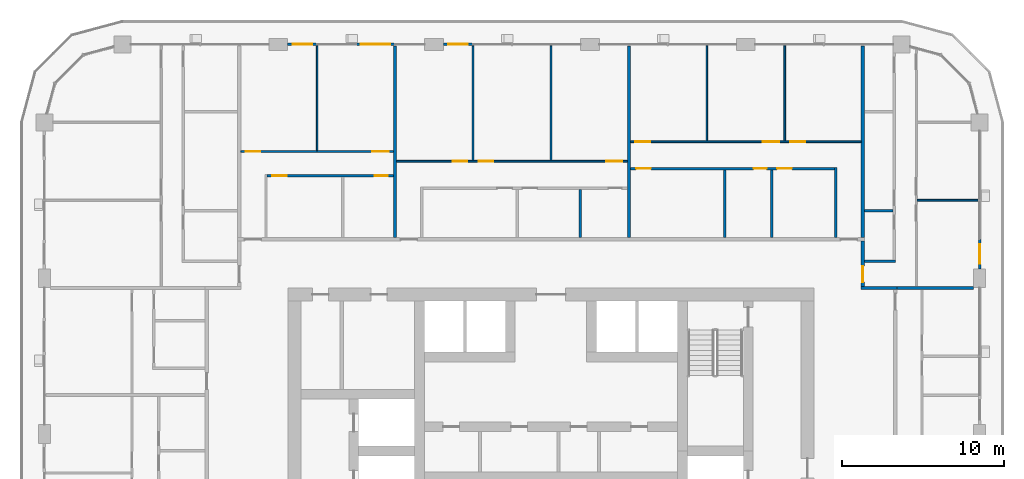
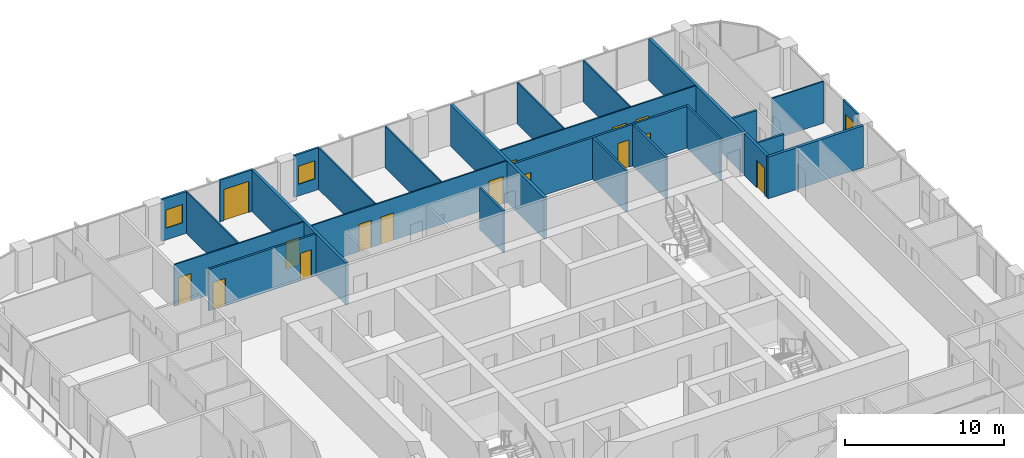
# One storey, part 14 of 22: 27 walls, 15 doors, 3 windows, 18 openings.
"""IFC4 building model written with IfcOpenShell, lengths in metres."""

from ifc_helpers import new_model, si_unit, direction, frame, frame_2d, origin, place, context, subcontext, project, spatial, rectangle, extrude, material, layer, layer_set, type_object, element, fill, save


model = new_model("IFC4")

# Units and contexts
model_context = context("Model", 3, precision=1e-05, world=origin(), true_north=direction((0.0, 1.0)))
body_context = subcontext(model_context, "Body", "Model", "MODEL_VIEW")
ifc_project = project(units=[si_unit("LENGTHUNIT", "METRE"), si_unit("AREAUNIT", "SQUARE_METRE"), si_unit("VOLUMEUNIT", "CUBIC_METRE"), si_unit("PLANEANGLEUNIT", "RADIAN"), si_unit("MASSUNIT", "GRAM", prefix="KILO")], contexts=[model_context])

# Site, building, storey
site_placement = place(None, origin())
site = spatial("IfcSite", under=ifc_project, at=site_placement, CompositionType="ELEMENT")
building_placement = place(site_placement, origin())
building = spatial("IfcBuilding", under=site, at=building_placement, Name="Madar Terraces", CompositionType="ELEMENT")
storey_placement = place(building_placement, frame((0.0, 0.0, 136.60009765625)))
storey = spatial("IfcBuildingStorey", under=building, at=storey_placement, Name="L35", CompositionType="ELEMENT", Elevation=136.60009765625)

# Wall, opening, window
ifc_material_1 = material(Name="Aluminium composite panel, black, over insulated backing", Category="aluminium")
ifc_layer_1 = layer(ifc_material_1, 0.14990234375)
ifc_layer_set_1 = layer_set([ifc_layer_1], Name="Facade bay panel 150")
wall_type_1 = type_object("IfcWallType", Name="Facade bay panel 150", PredefinedType="SOLIDWALL", material=ifc_layer_set_1)
wall_1_placement = place(storey_placement, frame((57.60009765625, 38.97509765625, 0.0), z_axis=(0.0, 0.0, 1.0), x_axis=(0.0, 1.0, 0.0)))
wall_1 = element("IfcWall", 1, at=wall_1_placement, inside=storey, type_object=wall_type_1, Name="Facade bay panel", PredefinedType="SOLIDWALL", context=body_context, shape_type="SweptSolid", body=[
    extrude(rectangle(XDim=1.824951171875, YDim=0.14990234375, at=frame_2d((0.91259765625, 0.0))), origin(), (0.0, 0.0, 1.0), 3.199951171875),
])
opening_1_placement = place(wall_1_placement, frame((0.3125, 0.0, 0.89990234375)))
opening_1 = element("IfcOpeningElement", 2, at=opening_1_placement, cuts=wall_1, Name="Opening W1", PredefinedType="OPENING", context=body_context, shape_type="SweptSolid", body=[
    extrude(rectangle(XDim=1.199951171875, YDim=1.39990234375, at=frame_2d((0.60009765625, 0.699951171875))), frame((0.0, 0.0849609375, 0.0), z_axis=(0.0, -1.0, 0.0), x_axis=(1.0, 0.0, 0.0)), (0.0, 0.0, 1.0), 0.169921875),
])
ifc_material_2 = material(Name="Glass, clear, with black aluminium frame", Category="aluminium")
window_type = type_object("IfcWindowType", Name="Vent window 1200 x 1400", PartitioningType="SINGLE_PANEL", PredefinedType="WINDOW", material=ifc_material_2)
window_1_placement = place(opening_1_placement, origin())
window_1 = element("IfcWindow", 3, at=window_1_placement, inside=storey, type_object=window_type, Name="Operable vent window", OverallHeight=1.39990234375, OverallWidth=1.199951171875, PartitioningType="SINGLE_PANEL", PredefinedType="WINDOW", context=body_context, shape_type="SweptSolid", body=[
    extrude(rectangle(XDim=1.199951171875, YDim=1.39990234375, at=frame_2d((0.60009765625, 0.699951171875))), frame((0.0, 0.030029296875, 0.0), z_axis=(0.0, -1.0, 0.0), x_axis=(1.0, 0.0, 0.0)), (0.0, 0.0, 1.0), 0.06005859375),
])
fill(opening_1, window_1)

wall_2_placement = place(storey_placement, frame((26.39990234375, 52.800048828125, 0.0), z_axis=(0.0, 0.0, 1.0), x_axis=(-1.0, 0.0, 0.0)))
wall_2 = element("IfcWall", 4, at=wall_2_placement, inside=storey, type_object=wall_type_1, Name="Facade bay panel", PredefinedType="SOLIDWALL", context=body_context, shape_type="SweptSolid", body=[
    extrude(rectangle(XDim=1.824951171875, YDim=0.14990234375, at=frame_2d((0.91259765625, 0.0))), origin(), (0.0, 0.0, 1.0), 3.199951171875),
])
opening_2_placement = place(wall_2_placement, frame((0.3125, 0.0, 0.89990234375)))
opening_2 = element("IfcOpeningElement", 5, at=opening_2_placement, cuts=wall_2, Name="Opening W1", PredefinedType="OPENING", context=body_context, shape_type="SweptSolid", body=[
    extrude(rectangle(XDim=1.199951171875, YDim=1.39990234375, at=frame_2d((0.60009765625, 0.699951171875))), frame((0.0, 0.0849609375, 0.0), z_axis=(0.0, -1.0, 0.0), x_axis=(1.0, 0.0, 0.0)), (0.0, 0.0, 1.0), 0.169921875),
])
window_2_placement = place(opening_2_placement, origin())
window_2 = element("IfcWindow", 6, at=window_2_placement, inside=storey, type_object=window_type, Name="Operable vent window", OverallHeight=1.39990234375, OverallWidth=1.199951171875, PartitioningType="SINGLE_PANEL", PredefinedType="WINDOW", context=body_context, shape_type="SweptSolid", body=[
    extrude(rectangle(XDim=1.199951171875, YDim=1.39990234375, at=frame_2d((0.60009765625, 0.699951171875))), frame((0.0, 0.030029296875, 0.0), z_axis=(0.0, -1.0, 0.0), x_axis=(1.0, 0.0, 0.0)), (0.0, 0.0, 1.0), 0.06005859375),
])
fill(opening_2, window_2)

# Wall, opening, door
wall_3_placement = place(storey_placement, frame((21.60009765625, 52.800048828125, 0.0), z_axis=(0.0, 0.0, 1.0), x_axis=(-1.0, 0.0, 0.0)))
wall_3 = element("IfcWall", 7, at=wall_3_placement, inside=storey, type_object=wall_type_1, Name="Facade bay panel", PredefinedType="SOLIDWALL", context=body_context, shape_type="SweptSolid", body=[
    extrude(rectangle(XDim=2.400146484375, YDim=0.14990234375, at=frame_2d((1.2001953125, 0.0))), origin(), (0.0, 0.0, 1.0), 3.199951171875),
])
opening_3_placement = place(wall_3_placement, frame((0.300048828125, 0.0, 0.0)))
opening_3 = element("IfcOpeningElement", 8, at=opening_3_placement, cuts=wall_3, Name="Opening ED1", PredefinedType="OPENING", context=body_context, shape_type="SweptSolid", body=[
    extrude(rectangle(XDim=1.800048828125, YDim=2.39990234375, at=frame_2d((0.89990234375, 1.199951171875))), frame((0.0, 0.0849609375, 0.0), z_axis=(0.0, -1.0, 0.0), x_axis=(1.0, 0.0, 0.0)), (0.0, 0.0, 1.0), 0.169921875),
])
ifc_material_3 = material(Name="Glass, clear, with black aluminium frame", Category="aluminium")
door_type_1 = type_object("IfcDoorType", Name="Balcony and terrace sliding door 1800 x 2400", OperationType="SLIDING_TO_LEFT", PredefinedType="DOOR", material=ifc_material_3)
door_1_placement = place(opening_3_placement, origin())
door_1 = element("IfcDoor", 9, at=door_1_placement, inside=storey, type_object=door_type_1, Name="Balcony door", OperationType="SLIDING_TO_RIGHT", OverallHeight=2.39990234375, OverallWidth=1.800048828125, PredefinedType="DOOR", context=body_context, shape_type="SweptSolid", body=[
    extrude(rectangle(XDim=1.800048828125, YDim=2.39990234375, at=frame_2d((0.89990234375, 1.199951171875))), frame((0.0, 0.02490234375, 0.0), z_axis=(0.0, -1.0, 0.0), x_axis=(1.0, 0.0, 0.0)), (0.0, 0.0, 1.0), 0.050048828125),
])
fill(opening_3, door_1)

# Wall, opening, window
wall_4_placement = place(storey_placement, frame((16.800048828125, 52.800048828125, 0.0), z_axis=(0.0, 0.0, 1.0), x_axis=(-1.0, 0.0, 0.0)))
wall_4 = element("IfcWall", 10, at=wall_4_placement, inside=storey, type_object=wall_type_1, Name="Facade bay panel", PredefinedType="SOLIDWALL", context=body_context, shape_type="SweptSolid", body=[
    extrude(rectangle(XDim=1.824951171875, YDim=0.14990234375, at=frame_2d((0.91259765625, 0.0))), origin(), (0.0, 0.0, 1.0), 3.199951171875),
])
opening_4_placement = place(wall_4_placement, frame((0.3125, 0.0, 0.89990234375)))
opening_4 = element("IfcOpeningElement", 11, at=opening_4_placement, cuts=wall_4, Name="Opening W1", PredefinedType="OPENING", context=body_context, shape_type="SweptSolid", body=[
    extrude(rectangle(XDim=1.199951171875, YDim=1.39990234375, at=frame_2d((0.60009765625, 0.699951171875))), frame((0.0, 0.0849609375, 0.0), z_axis=(0.0, -1.0, 0.0), x_axis=(1.0, 0.0, 0.0)), (0.0, 0.0, 1.0), 0.169921875),
])
window_3_placement = place(opening_4_placement, origin())
window_3 = element("IfcWindow", 12, at=window_3_placement, inside=storey, type_object=window_type, Name="Operable vent window", OverallHeight=1.39990234375, OverallWidth=1.199951171875, PartitioningType="SINGLE_PANEL", PredefinedType="WINDOW", context=body_context, shape_type="SweptSolid", body=[
    extrude(rectangle(XDim=1.199951171875, YDim=1.39990234375, at=frame_2d((0.60009765625, 0.699951171875))), frame((0.0, 0.030029296875, 0.0), z_axis=(0.0, -1.0, 0.0), x_axis=(1.0, 0.0, 0.0)), (0.0, 0.0, 1.0), 0.06005859375),
])
fill(opening_4, window_3)

# Walls
ifc_material_4 = material(Name="Gypsum board on steel studs", Category="steel")
ifc_layer_2 = layer(ifc_material_4, 0.10009765625)
ifc_layer_set_2 = layer_set([ifc_layer_2], Name="Flat partition 100")
wall_type_2 = type_object("IfcWallType", Name="Flat partition 100", PredefinedType="PARTITIONING", material=ifc_layer_set_2)
wall_5_placement = place(storey_placement, frame((53.75, 43.199951171875, 0.0), z_axis=(0.0, 0.0, 1.0), x_axis=(1.0, 0.0, 0.0)))
element("IfcWall", 13, at=wall_5_placement, inside=storey, type_object=wall_type_2, Name="Flat partition 100", PredefinedType="PARTITIONING", context=body_context, shape_type="SweptSolid", body=[
    extrude(rectangle(XDim=3.75, YDim=0.10009765625, at=frame_2d((1.875, 0.0))), origin(), (0.0, 0.0, 1.0), 3.199951171875),
])
for number, where, z_axis, x_axis, name in (
    (14, (45.60009765625, 46.85009765625, 0.0), (0.0, 0.0, 1.0), (0.0, 1.0, 0.0), "Flat partition 100"),
    (15, (40.800048828125, 46.85009765625, 0.0), (0.0, 0.0, 1.0), (0.0, 1.0, 0.0), "Flat partition 100"),
):
    element("IfcWall", number, at=place(storey_placement, frame(where, z_axis=z_axis, x_axis=x_axis)), inside=storey, type_object=wall_type_2, Name=name, PredefinedType="PARTITIONING", context=body_context, shape_type="SweptSolid", body=[
        extrude(rectangle(XDim=5.849853515625, YDim=0.10009765625, at=frame_2d((2.9248046875, 0.0))), origin(), (0.0, 0.0, 1.0), 3.199951171875),
    ])

# Wall, openings, doors
wall_6_placement = place(storey_placement, frame((36.10009765625, 46.800048828125, 0.0), z_axis=(0.0, 0.0, 1.0), x_axis=(1.0, 0.0, 0.0)))
wall_6 = element("IfcWall", 16, at=wall_6_placement, inside=storey, type_object=wall_type_2, Name="Flat partition 100", PredefinedType="PARTITIONING", context=body_context, shape_type="SweptSolid", body=[
    extrude(rectangle(XDim=14.199951171875, YDim=0.10009765625, at=frame_2d((7.10009765625, 0.0))), origin(), (0.0, 0.0, 1.0), 3.199951171875),
])
opening_5_placement = place(wall_6_placement, frame((9.85009765625, 0.0, 0.0)))
opening_5 = element("IfcOpeningElement", 17, at=opening_5_placement, cuts=wall_6, Name="Opening D2", PredefinedType="OPENING", context=body_context, shape_type="SweptSolid", body=[
    extrude(rectangle(XDim=0.89990234375, YDim=2.10009765625, at=frame_2d((0.449951171875, 1.050048828125))), frame((0.0, 0.06005859375, 0.0), z_axis=(0.0, -1.0, 0.0), x_axis=(1.0, 0.0, 0.0)), (0.0, 0.0, 1.0), 0.1201171875),
])
opening_6_placement = place(wall_6_placement, frame((8.14990234375, 0.0, 0.0)))
opening_6 = element("IfcOpeningElement", 18, at=opening_6_placement, cuts=wall_6, Name="Opening D3", PredefinedType="OPENING", context=body_context, shape_type="SweptSolid", body=[
    extrude(rectangle(XDim=1.0, YDim=2.10009765625, at=frame_2d((0.5, 1.050048828125))), frame((0.0, 0.06005859375, 0.0), z_axis=(0.0, -1.0, 0.0), x_axis=(1.0, 0.0, 0.0)), (0.0, 0.0, 1.0), 0.1201171875),
])
opening_7_placement = place(wall_6_placement, frame((0.300048828125, 0.0, 0.0)))
opening_7 = element("IfcOpeningElement", 19, at=opening_7_placement, cuts=wall_6, Name="Opening D2", PredefinedType="OPENING", context=body_context, shape_type="SweptSolid", body=[
    extrude(rectangle(XDim=0.89990234375, YDim=2.10009765625, at=frame_2d((0.449951171875, 1.050048828125))), frame((0.0, 0.06005859375, 0.0), z_axis=(0.0, -1.0, 0.0), x_axis=(1.0, 0.0, 0.0)), (0.0, 0.0, 1.0), 0.1201171875),
])
ifc_material_5 = material(Name="Timber door leaf", Category="wood")
door_type_2 = type_object("IfcDoorType", Name="Flat living room door 1000", OperationType="NOTDEFINED", PredefinedType="DOOR", material=ifc_material_5)
door_2_placement = place(opening_6_placement, origin())
door_2 = element("IfcDoor", 20, at=door_2_placement, inside=storey, type_object=door_type_2, Name="Flat living room door 1000", OperationType="SINGLE_SWING_RIGHT", OverallHeight=2.10009765625, OverallWidth=1.0, PredefinedType="DOOR", context=body_context, shape_type="SweptSolid", body=[
    extrude(rectangle(XDim=1.0, YDim=2.10009765625, at=frame_2d((0.5, 1.050048828125))), frame((0.0, 0.02490234375, 0.0), z_axis=(0.0, -1.0, 0.0), x_axis=(1.0, 0.0, 0.0)), (0.0, 0.0, 1.0), 0.050048828125),
])
fill(opening_6, door_2)
ifc_material_6 = material(Name="Timber door leaf", Category="wood")
door_type_3 = type_object("IfcDoorType", Name="Flat room door 900", OperationType="NOTDEFINED", PredefinedType="DOOR", material=ifc_material_6)
door_3_placement = place(opening_5_placement, origin())
door_3 = element("IfcDoor", 21, at=door_3_placement, inside=storey, type_object=door_type_3, Name="Flat room door 900", OperationType="SINGLE_SWING_LEFT", OverallHeight=2.10009765625, OverallWidth=0.89990234375, PredefinedType="DOOR", context=body_context, shape_type="SweptSolid", body=[
    extrude(rectangle(XDim=0.89990234375, YDim=2.10009765625, at=frame_2d((0.449951171875, 1.050048828125))), frame((0.0, 0.02490234375, 0.0), z_axis=(0.0, -1.0, 0.0), x_axis=(1.0, 0.0, 0.0)), (0.0, 0.0, 1.0), 0.050048828125),
])
fill(opening_5, door_3)
door_4_placement = place(opening_7_placement, origin())
door_4 = element("IfcDoor", 22, at=door_4_placement, inside=storey, type_object=door_type_3, Name="Flat room door 900", OperationType="SINGLE_SWING_LEFT", OverallHeight=2.10009765625, OverallWidth=0.89990234375, PredefinedType="DOOR", context=body_context, shape_type="SweptSolid", body=[
    extrude(rectangle(XDim=0.89990234375, YDim=2.10009765625, at=frame_2d((0.449951171875, 1.050048828125))), frame((0.0, 0.02490234375, 0.0), z_axis=(0.0, -1.0, 0.0), x_axis=(1.0, 0.0, 0.0)), (0.0, 0.0, 1.0), 0.050048828125),
])
fill(opening_7, door_4)

# Walls
for number, where, z_axis, x_axis, name in (
    (23, (26.39990234375, 45.64990234375, 0.0), (0.0, 0.0, 1.0), (0.0, 1.0, 0.0), "Flat partition 100"),
    (24, (31.199951171875, 45.64990234375, 0.0), (0.0, 0.0, 1.0), (0.0, 1.0, 0.0), "Flat partition 100"),
):
    element("IfcWall", number, at=place(storey_placement, frame(where, z_axis=z_axis, x_axis=x_axis)), inside=storey, type_object=wall_type_2, Name=name, PredefinedType="PARTITIONING", context=body_context, shape_type="SweptSolid", body=[
        extrude(rectangle(XDim=7.050048828125, YDim=0.10009765625, at=frame_2d((3.52490234375, 0.0))), origin(), (0.0, 0.0, 1.0), 3.199951171875),
    ])

# Wall, openings, doors
wall_7_placement = place(storey_placement, frame((21.699951171875, 45.60009765625, 0.0), z_axis=(0.0, 0.0, 1.0), x_axis=(1.0, 0.0, 0.0)))
wall_7 = element("IfcWall", 25, at=wall_7_placement, inside=storey, type_object=wall_type_2, Name="Flat partition 100", PredefinedType="PARTITIONING", context=body_context, shape_type="SweptSolid", body=[
    extrude(rectangle(XDim=14.199951171875, YDim=0.10009765625, at=frame_2d((7.10009765625, 0.0))), origin(), (0.0, 0.0, 1.0), 3.199951171875),
])
opening_8_placement = place(wall_7_placement, frame((3.449951171875, 0.0, 0.0)))
opening_8 = element("IfcOpeningElement", 26, at=opening_8_placement, cuts=wall_7, Name="Opening D2", PredefinedType="OPENING", context=body_context, shape_type="SweptSolid", body=[
    extrude(rectangle(XDim=0.89990234375, YDim=2.10009765625, at=frame_2d((0.449951171875, 1.050048828125))), frame((0.0, 0.06005859375, 0.0), z_axis=(0.0, -1.0, 0.0), x_axis=(1.0, 0.0, 0.0)), (0.0, 0.0, 1.0), 0.1201171875),
])
opening_9_placement = place(wall_7_placement, frame((5.050048828125, 0.0, 0.0)))
opening_9 = element("IfcOpeningElement", 27, at=opening_9_placement, cuts=wall_7, Name="Opening D2", PredefinedType="OPENING", context=body_context, shape_type="SweptSolid", body=[
    extrude(rectangle(XDim=0.89990234375, YDim=2.10009765625, at=frame_2d((0.449951171875, 1.050048828125))), frame((0.0, 0.06005859375, 0.0), z_axis=(0.0, -1.0, 0.0), x_axis=(1.0, 0.0, 0.0)), (0.0, 0.0, 1.0), 0.1201171875),
])
opening_10_placement = place(wall_7_placement, frame((12.89990234375, 0.0, 0.0)))
opening_10 = element("IfcOpeningElement", 28, at=opening_10_placement, cuts=wall_7, Name="Opening D3", PredefinedType="OPENING", context=body_context, shape_type="SweptSolid", body=[
    extrude(rectangle(XDim=1.0, YDim=2.10009765625, at=frame_2d((0.5, 1.050048828125))), frame((0.0, 0.06005859375, 0.0), z_axis=(0.0, -1.0, 0.0), x_axis=(1.0, 0.0, 0.0)), (0.0, 0.0, 1.0), 0.1201171875),
])
door_5_placement = place(opening_10_placement, origin())
door_5 = element("IfcDoor", 29, at=door_5_placement, inside=storey, type_object=door_type_2, Name="Flat living room door 1000", OperationType="SINGLE_SWING_RIGHT", OverallHeight=2.10009765625, OverallWidth=1.0, PredefinedType="DOOR", context=body_context, shape_type="SweptSolid", body=[
    extrude(rectangle(XDim=1.0, YDim=2.10009765625, at=frame_2d((0.5, 1.050048828125))), frame((0.0, 0.02490234375, 0.0), z_axis=(0.0, -1.0, 0.0), x_axis=(1.0, 0.0, 0.0)), (0.0, 0.0, 1.0), 0.050048828125),
])
fill(opening_10, door_5)
door_6_placement = place(opening_8_placement, origin())
door_6 = element("IfcDoor", 30, at=door_6_placement, inside=storey, type_object=door_type_3, Name="Flat room door 900", OperationType="SINGLE_SWING_RIGHT", OverallHeight=2.10009765625, OverallWidth=0.89990234375, PredefinedType="DOOR", context=body_context, shape_type="SweptSolid", body=[
    extrude(rectangle(XDim=0.89990234375, YDim=2.10009765625, at=frame_2d((0.449951171875, 1.050048828125))), frame((0.0, 0.02490234375, 0.0), z_axis=(0.0, -1.0, 0.0), x_axis=(1.0, 0.0, 0.0)), (0.0, 0.0, 1.0), 0.050048828125),
])
fill(opening_8, door_6)
door_7_placement = place(opening_9_placement, origin())
door_7 = element("IfcDoor", 31, at=door_7_placement, inside=storey, type_object=door_type_3, Name="Flat room door 900", OperationType="SINGLE_SWING_LEFT", OverallHeight=2.10009765625, OverallWidth=0.89990234375, PredefinedType="DOOR", context=body_context, shape_type="SweptSolid", body=[
    extrude(rectangle(XDim=0.89990234375, YDim=2.10009765625, at=frame_2d((0.449951171875, 1.050048828125))), frame((0.0, 0.02490234375, 0.0), z_axis=(0.0, -1.0, 0.0), x_axis=(1.0, 0.0, 0.0)), (0.0, 0.0, 1.0), 0.050048828125),
])
fill(opening_9, door_7)

# Wall
wall_8_placement = place(storey_placement, frame((16.800048828125, 46.25, 0.0), z_axis=(0.0, 0.0, 1.0), x_axis=(0.0, 1.0, 0.0)))
element("IfcWall", 32, at=wall_8_placement, inside=storey, type_object=wall_type_2, Name="Flat partition 100", PredefinedType="PARTITIONING", context=body_context, shape_type="SweptSolid", body=[
    extrude(rectangle(XDim=6.449951171875, YDim=0.10009765625, at=frame_2d((3.22509765625, 0.0))), origin(), (0.0, 0.0, 1.0), 3.199951171875),
])

# Wall, openings, doors
wall_9_placement = place(storey_placement, frame((12.10009765625, 46.199951171875, 0.0), z_axis=(0.0, 0.0, 1.0), x_axis=(1.0, 0.0, 0.0)))
wall_9 = element("IfcWall", 33, at=wall_9_placement, inside=storey, type_object=wall_type_2, Name="Flat partition 100", PredefinedType="PARTITIONING", context=body_context, shape_type="SweptSolid", body=[
    extrude(rectangle(XDim=9.39990234375, YDim=0.10009765625, at=frame_2d((4.699951171875, 0.0))), origin(), (0.0, 0.0, 1.0), 3.199951171875),
])
opening_11_placement = place(wall_9_placement, frame((0.300048828125, 0.0, 0.0)))
opening_11 = element("IfcOpeningElement", 34, at=opening_11_placement, cuts=wall_9, Name="Opening D2", PredefinedType="OPENING", context=body_context, shape_type="SweptSolid", body=[
    extrude(rectangle(XDim=0.89990234375, YDim=2.10009765625, at=frame_2d((0.449951171875, 1.050048828125))), frame((0.0, 0.06005859375, 0.0), z_axis=(0.0, -1.0, 0.0), x_axis=(1.0, 0.0, 0.0)), (0.0, 0.0, 1.0), 0.1201171875),
])
opening_12_placement = place(wall_9_placement, frame((8.10009765625, 0.0, 0.0)))
opening_12 = element("IfcOpeningElement", 35, at=opening_12_placement, cuts=wall_9, Name="Opening D3", PredefinedType="OPENING", context=body_context, shape_type="SweptSolid", body=[
    extrude(rectangle(XDim=1.0, YDim=2.10009765625, at=frame_2d((0.5, 1.050048828125))), frame((0.0, 0.06005859375, 0.0), z_axis=(0.0, -1.0, 0.0), x_axis=(1.0, 0.0, 0.0)), (0.0, 0.0, 1.0), 0.1201171875),
])
door_8_placement = place(opening_12_placement, origin())
door_8 = element("IfcDoor", 36, at=door_8_placement, inside=storey, type_object=door_type_2, Name="Flat living room door 1000", OperationType="SINGLE_SWING_RIGHT", OverallHeight=2.10009765625, OverallWidth=1.0, PredefinedType="DOOR", context=body_context, shape_type="SweptSolid", body=[
    extrude(rectangle(XDim=1.0, YDim=2.10009765625, at=frame_2d((0.5, 1.050048828125))), frame((0.0, 0.02490234375, 0.0), z_axis=(0.0, -1.0, 0.0), x_axis=(1.0, 0.0, 0.0)), (0.0, 0.0, 1.0), 0.050048828125),
])
fill(opening_12, door_8)
door_9_placement = place(opening_11_placement, origin())
door_9 = element("IfcDoor", 37, at=door_9_placement, inside=storey, type_object=door_type_3, Name="Flat room door 900", OperationType="SINGLE_SWING_LEFT", OverallHeight=2.10009765625, OverallWidth=0.89990234375, PredefinedType="DOOR", context=body_context, shape_type="SweptSolid", body=[
    extrude(rectangle(XDim=0.89990234375, YDim=2.10009765625, at=frame_2d((0.449951171875, 1.050048828125))), frame((0.0, 0.02490234375, 0.0), z_axis=(0.0, -1.0, 0.0), x_axis=(1.0, 0.0, 0.0)), (0.0, 0.0, 1.0), 0.050048828125),
])
fill(opening_11, door_9)

# Wall
ifc_material_7 = material(Name="Lightweight blockwork", Category="masonry")
ifc_layer_3 = layer(ifc_material_7, 0.199951171875)
ifc_layer_set_3 = layer_set([ifc_layer_3], Name="Flat party and entrance wall 200")
wall_type_3 = type_object("IfcWallType", Name="Flat party and entrance wall 200", PredefinedType="PARTITIONING", material=ifc_layer_set_3)
wall_10_placement = place(storey_placement, frame((52.5, 37.800048828125, 0.0), z_axis=(0.0, 0.0, 1.0), x_axis=(-1.0, 0.0, 0.0)))
element("IfcWall", 38, at=wall_10_placement, inside=storey, type_object=wall_type_3, Name="Flat party and entrance wall 200", PredefinedType="PARTITIONING", context=body_context, shape_type="SweptSolid", body=[
    extrude(rectangle(XDim=2.199951171875, YDim=0.199951171875, at=frame_2d((1.10009765625, 0.0))), origin(), (0.0, 0.0, 1.0), 3.199951171875),
])

# Wall, opening, door
wall_11_placement = place(storey_placement, frame((50.39990234375, 40.699951171875, 0.0), z_axis=(0.0, 0.0, 1.0), x_axis=(0.0, -1.0, 0.0)))
wall_11 = element("IfcWall", 39, at=wall_11_placement, inside=storey, type_object=wall_type_3, Name="Flat party and entrance wall 200", PredefinedType="PARTITIONING", context=body_context, shape_type="SweptSolid", body=[
    extrude(rectangle(XDim=2.800048828125, YDim=0.199951171875, at=frame_2d((1.39990234375, 0.0))), origin(), (0.0, 0.0, 1.0), 3.199951171875),
])
opening_13_placement = place(wall_11_placement, frame((1.550048828125, 0.0, 0.0)))
opening_13 = element("IfcOpeningElement", 40, at=opening_13_placement, cuts=wall_11, Name="Opening D1", PredefinedType="OPENING", context=body_context, shape_type="SweptSolid", body=[
    extrude(rectangle(XDim=1.0, YDim=2.10009765625, at=frame_2d((0.5, 1.050048828125))), frame((0.0, 0.10986328125, 0.0), z_axis=(0.0, -1.0, 0.0), x_axis=(1.0, 0.0, 0.0)), (0.0, 0.0, 1.0), 0.219970703125),
])
ifc_material_8 = material(Name="Timber fire door leaf", Category="wood")
door_type_4 = type_object("IfcDoorType", Name="Flat entrance door 1000 FD30S", OperationType="NOTDEFINED", PredefinedType="DOOR", material=ifc_material_8)
door_10_placement = place(opening_13_placement, origin())
door_10 = element("IfcDoor", 41, at=door_10_placement, inside=storey, type_object=door_type_4, Name="Flat entrance door 1000 FD30S", OperationType="SINGLE_SWING_RIGHT", OverallHeight=2.10009765625, OverallWidth=1.0, PredefinedType="DOOR", context=body_context, shape_type="SweptSolid", body=[
    extrude(rectangle(XDim=1.0, YDim=2.10009765625, at=frame_2d((0.5, 1.050048828125))), frame((0.0, 0.02490234375, 0.0), z_axis=(0.0, -1.0, 0.0), x_axis=(1.0, 0.0, 0.0)), (0.0, 0.0, 1.0), 0.050048828125),
])
fill(opening_13, door_10)

# Walls
wall_12_placement = place(storey_placement, frame((52.5, 37.800048828125, 0.0), z_axis=(0.0, 0.0, 1.0), x_axis=(1.0, 0.0, 0.0)))
element("IfcWall", 42, at=wall_12_placement, inside=storey, type_object=wall_type_3, Name="Flat party and entrance wall 200", PredefinedType="PARTITIONING", context=body_context, shape_type="SweptSolid", body=[
    extrude(rectangle(XDim=4.72509765625, YDim=0.199951171875, at=frame_2d((2.362548828125, 0.0))), origin(), (0.0, 0.0, 1.0), 3.199951171875),
])
for number, where, z_axis, x_axis, name in (
    (43, (50.39990234375, 40.89990234375, 0.0), (0.0, 0.0, 1.0), (0.0, 1.0, 0.0), "Flat party and entrance wall 200"),
    (44, (36.0, 52.699951171875, 0.0), (0.0, 0.0, 1.0), (0.0, -1.0, 0.0), "Flat party and entrance wall 200"),
    (45, (21.60009765625, 52.699951171875, 0.0), (0.0, 0.0, 1.0), (0.0, -1.0, 0.0), "Flat party and entrance wall 200"),
):
    element("IfcWall", number, at=place(storey_placement, frame(where, z_axis=z_axis, x_axis=x_axis)), inside=storey, type_object=wall_type_3, Name=name, PredefinedType="PARTITIONING", context=body_context, shape_type="SweptSolid", body=[
        extrude(rectangle(XDim=11.800048828125, YDim=0.199951171875, at=frame_2d((5.89990234375, 0.0))), origin(), (0.0, 0.0, 1.0), 3.199951171875),
    ])
ifc_material_9 = material(Name="Lightweight blockwork", Category="masonry")
ifc_layer_4 = layer(ifc_material_9, 0.14990234375)
ifc_layer_set_4 = layer_set([ifc_layer_4], Name="Flat wet-room partition 150")
wall_type_4 = type_object("IfcWallType", Name="Flat wet-room partition 150", PredefinedType="PARTITIONING", material=ifc_layer_set_4)
wall_13_placement = place(storey_placement, frame((50.5, 42.5654296875, 0.0), z_axis=(0.0, 0.0, 1.0), x_axis=(1.0, 0.0, 0.0)))
element("IfcWall", 46, at=wall_13_placement, inside=storey, type_object=wall_type_4, Name="Flat wet-room partition 150", PredefinedType="PARTITIONING", context=body_context, shape_type="SweptSolid", body=[
    extrude(rectangle(XDim=1.77490234375, YDim=0.14990234375, at=frame_2d((0.887451171875, 0.0))), origin(), (0.0, 0.0, 1.0), 3.199951171875),
])
wall_14_placement = place(storey_placement, frame((50.5, 39.449951171875, 0.0), z_axis=(0.0, 0.0, 1.0), x_axis=(1.0, 0.0, 0.0)))
element("IfcWall", 47, at=wall_14_placement, inside=storey, type_object=wall_type_4, Name="Flat wet-room partition 150", PredefinedType="PARTITIONING", context=body_context, shape_type="SweptSolid", body=[
    extrude(rectangle(XDim=1.925048828125, YDim=0.14990234375, at=frame_2d((0.96240234375, 0.0))), origin(), (0.0, 0.0, 1.0), 3.199951171875),
])
for number, where, z_axis, x_axis, name in (
    (48, (44.805908203125, 40.89990234375, 0.0), (0.0, 0.0, 1.0), (0.0, 1.0, 0.0), "Flat wet-room partition 150"),
    (49, (41.90380859375, 40.89990234375, 0.0), (0.0, 0.0, 1.0), (0.0, 1.0, 0.0), "Flat wet-room partition 150"),
):
    element("IfcWall", number, at=place(storey_placement, frame(where, z_axis=z_axis, x_axis=x_axis)), inside=storey, type_object=wall_type_4, Name=name, PredefinedType="PARTITIONING", context=body_context, shape_type="SweptSolid", body=[
        extrude(rectangle(XDim=4.175048828125, YDim=0.14990234375, at=frame_2d((2.08740234375, 0.0))), origin(), (0.0, 0.0, 1.0), 3.199951171875),
    ])
wall_15_placement = place(storey_placement, frame((48.75, 40.89990234375, 0.0), z_axis=(0.0, 0.0, 1.0), x_axis=(0.0, 1.0, 0.0)))
element("IfcWall", 50, at=wall_15_placement, inside=storey, type_object=wall_type_4, Name="Flat wet-room partition 150", PredefinedType="PARTITIONING", context=body_context, shape_type="SweptSolid", body=[
    extrude(rectangle(XDim=4.3251953125, YDim=0.14990234375, at=frame_2d((2.16259765625, 0.0))), origin(), (0.0, 0.0, 1.0), 3.199951171875),
])

# Wall, openings, doors
wall_16_placement = place(storey_placement, frame((48.675048828125, 45.14990234375, 0.0), z_axis=(0.0, 0.0, 1.0), x_axis=(-1.0, 0.0, 0.0)))
wall_16 = element("IfcWall", 51, at=wall_16_placement, inside=storey, type_object=wall_type_4, Name="Flat wet-room partition 150", PredefinedType="PARTITIONING", context=body_context, shape_type="SweptSolid", body=[
    extrude(rectangle(XDim=12.574951171875, YDim=0.14990234375, at=frame_2d((6.28759765625, 0.0))), origin(), (0.0, 0.0, 1.0), 3.199951171875),
])
opening_14_placement = place(wall_16_placement, frame((2.644287109375, 0.0, 0.0)))
opening_14 = element("IfcOpeningElement", 52, at=opening_14_placement, cuts=wall_16, Name="Opening D5", PredefinedType="OPENING", context=body_context, shape_type="SweptSolid", body=[
    extrude(rectangle(XDim=0.89990234375, YDim=2.10009765625, at=frame_2d((0.449951171875, 1.050048828125))), frame((0.0, 0.0849609375, 0.0), z_axis=(0.0, -1.0, 0.0), x_axis=(1.0, 0.0, 0.0)), (0.0, 0.0, 1.0), 0.169921875),
])
opening_15_placement = place(wall_16_placement, frame((4.194091796875, 0.0, 0.0)))
opening_15 = element("IfcOpeningElement", 53, at=opening_15_placement, cuts=wall_16, Name="Opening D4", PredefinedType="OPENING", context=body_context, shape_type="SweptSolid", body=[
    extrude(rectangle(XDim=0.800048828125, YDim=2.10009765625, at=frame_2d((0.39990234375, 1.050048828125))), frame((0.0, 0.0849609375, 0.0), z_axis=(0.0, -1.0, 0.0), x_axis=(1.0, 0.0, 0.0)), (0.0, 0.0, 1.0), 0.169921875),
])
opening_16_placement = place(wall_16_placement, frame((11.324951171875, 0.0, 0.0)))
opening_16 = element("IfcOpeningElement", 54, at=opening_16_placement, cuts=wall_16, Name="Opening D2", PredefinedType="OPENING", context=body_context, shape_type="SweptSolid", body=[
    extrude(rectangle(XDim=0.89990234375, YDim=2.10009765625, at=frame_2d((0.449951171875, 1.050048828125))), frame((0.0, 0.0849609375, 0.0), z_axis=(0.0, -1.0, 0.0), x_axis=(1.0, 0.0, 0.0)), (0.0, 0.0, 1.0), 0.169921875),
])
ifc_material_10 = material(Name="Timber door leaf", Category="wood")
door_type_5 = type_object("IfcDoorType", Name="Flat accessible bathroom door 900", OperationType="NOTDEFINED", PredefinedType="DOOR", material=ifc_material_10)
door_11_placement = place(opening_14_placement, origin())
door_11 = element("IfcDoor", 55, at=door_11_placement, inside=storey, type_object=door_type_5, Name="Flat accessible bathroom door 900", OperationType="SINGLE_SWING_RIGHT", OverallHeight=2.10009765625, OverallWidth=0.89990234375, PredefinedType="DOOR", context=body_context, shape_type="SweptSolid", body=[
    extrude(rectangle(XDim=0.89990234375, YDim=2.10009765625, at=frame_2d((0.449951171875, 1.050048828125))), frame((0.0, 0.02490234375, 0.0), z_axis=(0.0, -1.0, 0.0), x_axis=(1.0, 0.0, 0.0)), (0.0, 0.0, 1.0), 0.050048828125),
])
fill(opening_14, door_11)
ifc_material_11 = material(Name="Timber door leaf", Category="wood")
door_type_6 = type_object("IfcDoorType", Name="Flat bathroom door 800", OperationType="NOTDEFINED", PredefinedType="DOOR", material=ifc_material_11)
door_12_placement = place(opening_15_placement, origin())
door_12 = element("IfcDoor", 56, at=door_12_placement, inside=storey, type_object=door_type_6, Name="Flat bathroom door 800", OperationType="SINGLE_SWING_LEFT", OverallHeight=2.10009765625, OverallWidth=0.800048828125, PredefinedType="DOOR", context=body_context, shape_type="SweptSolid", body=[
    extrude(rectangle(XDim=0.800048828125, YDim=2.10009765625, at=frame_2d((0.39990234375, 1.050048828125))), frame((0.0, 0.02490234375, 0.0), z_axis=(0.0, -1.0, 0.0), x_axis=(1.0, 0.0, 0.0)), (0.0, 0.0, 1.0), 0.050048828125),
])
fill(opening_15, door_12)
door_13_placement = place(opening_16_placement, origin())
door_13 = element("IfcDoor", 57, at=door_13_placement, inside=storey, type_object=door_type_3, Name="Flat room door 900", OperationType="SINGLE_SWING_RIGHT", OverallHeight=2.10009765625, OverallWidth=0.89990234375, PredefinedType="DOOR", context=body_context, shape_type="SweptSolid", body=[
    extrude(rectangle(XDim=0.89990234375, YDim=2.10009765625, at=frame_2d((0.449951171875, 1.050048828125))), frame((0.0, 0.02490234375, 0.0), z_axis=(0.0, -1.0, 0.0), x_axis=(1.0, 0.0, 0.0)), (0.0, 0.0, 1.0), 0.050048828125),
])
fill(opening_16, door_13)

# Wall
wall_17_placement = place(storey_placement, frame((32.998046875, 40.89990234375, 0.0), z_axis=(0.0, 0.0, 1.0), x_axis=(0.0, 1.0, 0.0)))
element("IfcWall", 58, at=wall_17_placement, inside=storey, type_object=wall_type_4, Name="Flat wet-room partition 150", PredefinedType="PARTITIONING", context=body_context, shape_type="SweptSolid", body=[
    extrude(rectangle(XDim=2.97509765625, YDim=0.14990234375, at=frame_2d((1.487548828125, 0.0))), origin(), (0.0, 0.0, 1.0), 3.199951171875),
])

# Wall, openings, doors
wall_18_placement = place(storey_placement, frame((21.5, 44.699951171875, 0.0), z_axis=(0.0, 0.0, 1.0), x_axis=(-1.0, 0.0, 0.0)))
wall_18 = element("IfcWall", 59, at=wall_18_placement, inside=storey, type_object=wall_type_4, Name="Flat wet-room partition 150", PredefinedType="PARTITIONING", context=body_context, shape_type="SweptSolid", body=[
    extrude(rectangle(XDim=7.77490234375, YDim=0.14990234375, at=frame_2d((3.887451171875, 0.0))), origin(), (0.0, 0.0, 1.0), 3.199951171875),
])
opening_17_placement = place(wall_18_placement, frame((6.574951171875, 0.0, 0.0)))
opening_17 = element("IfcOpeningElement", 60, at=opening_17_placement, cuts=wall_18, Name="Opening D2", PredefinedType="OPENING", context=body_context, shape_type="SweptSolid", body=[
    extrude(rectangle(XDim=0.89990234375, YDim=2.10009765625, at=frame_2d((0.449951171875, 1.050048828125))), frame((0.0, 0.0849609375, 0.0), z_axis=(0.0, -1.0, 0.0), x_axis=(1.0, 0.0, 0.0)), (0.0, 0.0, 1.0), 0.169921875),
])
opening_18_placement = place(wall_18_placement, frame((0.35009765625, 0.0, 0.0)))
opening_18 = element("IfcOpeningElement", 61, at=opening_18_placement, cuts=wall_18, Name="Opening D4", PredefinedType="OPENING", context=body_context, shape_type="SweptSolid", body=[
    extrude(rectangle(XDim=0.800048828125, YDim=2.10009765625, at=frame_2d((0.39990234375, 1.050048828125))), frame((0.0, 0.0849609375, 0.0), z_axis=(0.0, -1.0, 0.0), x_axis=(1.0, 0.0, 0.0)), (0.0, 0.0, 1.0), 0.169921875),
])
door_14_placement = place(opening_18_placement, origin())
door_14 = element("IfcDoor", 62, at=door_14_placement, inside=storey, type_object=door_type_6, Name="Flat bathroom door 800", OperationType="SINGLE_SWING_LEFT", OverallHeight=2.10009765625, OverallWidth=0.800048828125, PredefinedType="DOOR", context=body_context, shape_type="SweptSolid", body=[
    extrude(rectangle(XDim=0.800048828125, YDim=2.10009765625, at=frame_2d((0.39990234375, 1.050048828125))), frame((0.0, 0.02490234375, 0.0), z_axis=(0.0, -1.0, 0.0), x_axis=(1.0, 0.0, 0.0)), (0.0, 0.0, 1.0), 0.050048828125),
])
fill(opening_18, door_14)
door_15_placement = place(opening_17_placement, origin())
door_15 = element("IfcDoor", 63, at=door_15_placement, inside=storey, type_object=door_type_3, Name="Flat room door 900", OperationType="SINGLE_SWING_RIGHT", OverallHeight=2.10009765625, OverallWidth=0.89990234375, PredefinedType="DOOR", context=body_context, shape_type="SweptSolid", body=[
    extrude(rectangle(XDim=0.89990234375, YDim=2.10009765625, at=frame_2d((0.449951171875, 1.050048828125))), frame((0.0, 0.02490234375, 0.0), z_axis=(0.0, -1.0, 0.0), x_axis=(1.0, 0.0, 0.0)), (0.0, 0.0, 1.0), 0.050048828125),
])
fill(opening_17, door_15)

save(model, "model.ifc")
